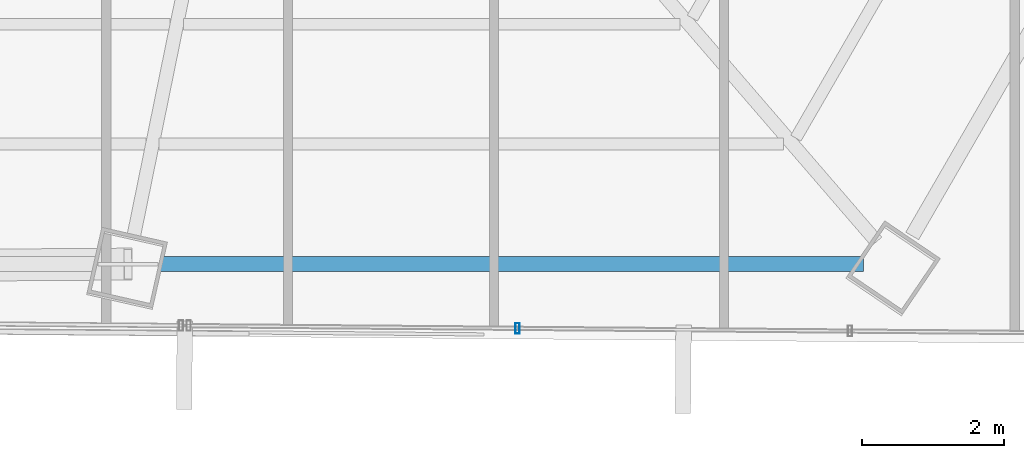
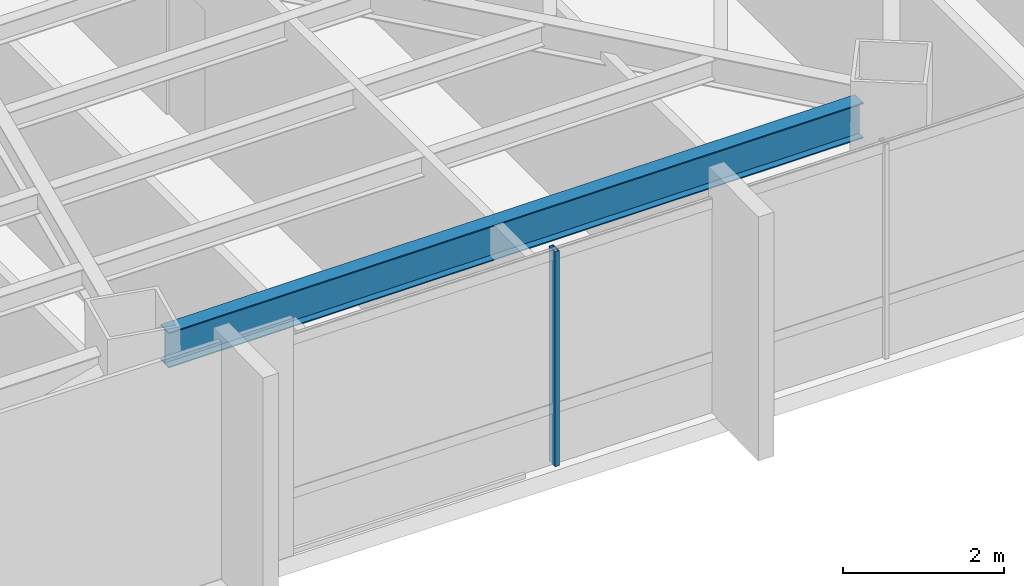
# One storey, part 17 of 40: 1 beam, 1 member, 1 element without a shape of its own.
"""IFC4 building model written with IfcOpenShell, lengths in metres."""

from ifc_helpers import new_model, si_unit, direction, frame, origin, origin_2d, place, context, subcontext, project, spatial, hollow_rectangle, i_section, extrude, source, transform, mapped, material, material_profile, profile_set, type_object, type_shapes, element, aggregate, save


model = new_model("IFC4")

# Units and contexts
model_context = context("Model", 3, precision=1e-05, world=origin(), true_north=direction((0.0, 1.0)))
body_context = subcontext(model_context, "Body", "Model", "MODEL_VIEW")
ifc_project = project(units=[si_unit("LENGTHUNIT", "METRE"), si_unit("AREAUNIT", "SQUARE_METRE"), si_unit("VOLUMEUNIT", "CUBIC_METRE"), si_unit("PLANEANGLEUNIT", "RADIAN"), si_unit("MASSUNIT", "GRAM", prefix="KILO")], contexts=[model_context])

# Site, building, storey
site_placement = place(None, origin())
site = spatial("IfcSite", under=ifc_project, at=site_placement, CompositionType="ELEMENT")
building_placement = place(site_placement, origin())
building = spatial("IfcBuilding", under=site, at=building_placement, Name="Caelisora Broadcast Tower", CompositionType="ELEMENT")
storey_placement = place(building_placement, frame((0.0, 0.0, 146.39990234375)))
storey = spatial("IfcBuildingStorey", under=building, at=storey_placement, Name="L38", CompositionType="ELEMENT", Elevation=146.39990234375)

# Beam
ifc_material_1 = material(Name="Steel Grade 350 (AS/NZS 3679.1)", Category="steel")
ifc_material_profile_1 = material_profile(ifc_material_1, i_section(OverallWidth=0.208984375, OverallDepth=0.532958984375, WebThickness=0.01025390625, FlangeThickness=0.015625, at=origin_2d()), Name="Steel Grade 350 (AS/NZS 3679.1)")
ifc_profile_set_1 = profile_set([ifc_material_profile_1], Name="Steel Grade 350 (AS/NZS 3679.1)")
beam_type = type_object("IfcBeamType", Name="PG05", PredefinedType="BEAM", material=ifc_profile_set_1)
shared_shape_1 = source(origin(), body_context, "Body", "SweptSolid", [
    extrude(i_section(OverallWidth=0.208984375, OverallDepth=0.532958984375, WebThickness=0.01025390625, FlangeThickness=0.015625, at=origin_2d()), origin(), (0.0, 0.0, 1.0), 9.934326171875),
])
type_shapes(beam_type, [shared_shape_1])
beam_placement = place(storey_placement, frame((43.88720703125, 7.225341796875, 2.983642578125), z_axis=(1.0, 0.0, 0.0), x_axis=(0.0, 1.0, 0.0)))
element("IfcBeam", 1, at=beam_placement, inside=storey, type_object=beam_type, Name="L38 beam PG05", PredefinedType="BEAM", context=body_context, shape_type="MappedRepresentation", body=[
    mapped(shared_shape_1, transform((0.0, 0.0, 0.0), scale=1.0)),
])

# Curtain wall, member
ifc_material_2 = material(Name="Unitised Aluminium and Low-E Glass Curtain Wall", Category="glass")
curtain_wall_type = type_object("IfcCurtainWallType", Name="CW-Z3", PredefinedType="NOTDEFINED", material=ifc_material_2)
curtain_wall_placement = place(storey_placement, origin())
curtain_wall = element("IfcCurtainWall", 2, at=curtain_wall_placement, inside=storey, type_object=curtain_wall_type, Name="L38 curtain wall CW-Z3", PredefinedType="NOTDEFINED")
ifc_material_3 = material(Name="Aluminium 6063-T6 Anodised Terracotta Bronze", Category="aluminium")
ifc_material_profile_2 = material_profile(ifc_material_3, hollow_rectangle(XDim=0.06005859375, YDim=0.14990234375, WallThickness=0.00341796875, at=origin_2d()), Name="Aluminium 6063-T6 Anodised Terracotta Bronze")
ifc_profile_set_2 = profile_set([ifc_material_profile_2], Name="Aluminium 6063-T6 Anodised Terracotta Bronze")
member_type = type_object("IfcMemberType", Name="CWM-03", PredefinedType="MULLION", material=ifc_profile_set_2)
shared_shape_2 = source(origin(), body_context, "Body", "SweptSolid", [
    extrude(hollow_rectangle(XDim=0.06005859375, YDim=0.14990234375, WallThickness=0.00341796875, at=origin_2d()), origin(), (0.0, 0.0, 1.0), 3.25),
])
type_shapes(member_type, [shared_shape_2])
member_placement = place(storey_placement, frame((48.932861328125, 6.3173828125, 0.0), z_axis=(0.0, 0.0, 1.0), x_axis=(1.0, 0.0, 0.0)))
member = element("IfcMember", 3, at=member_placement, type_object=member_type, Name="L38-CW-B05 mullion #2", PredefinedType="MULLION", context=body_context, shape_type="MappedRepresentation", body=[
    mapped(shared_shape_2, transform((0.0, 0.0, 0.0), scale=1.0)),
])
aggregate(curtain_wall, [member])

save(model, "model.ifc")
